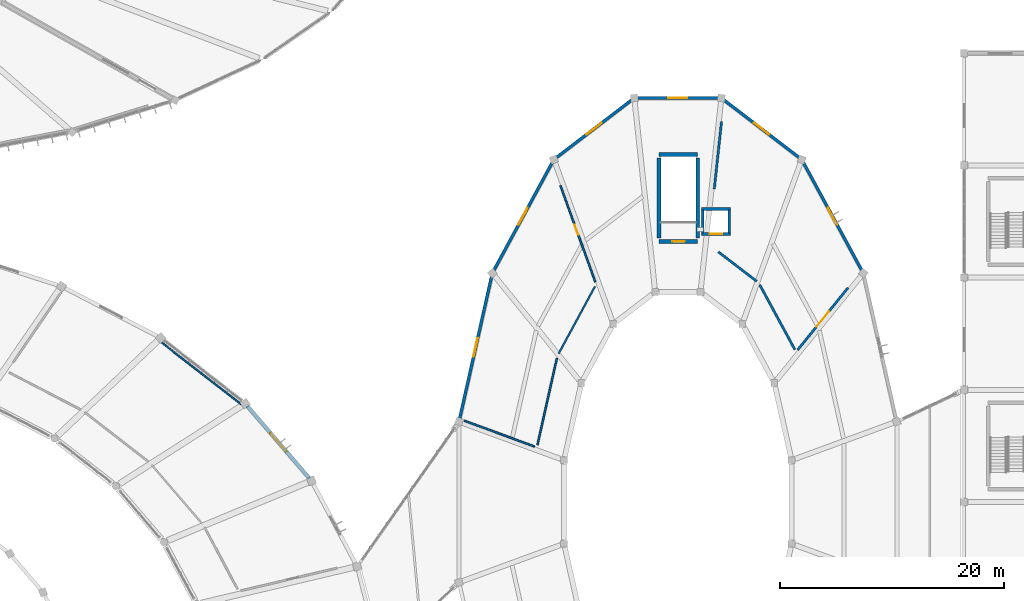
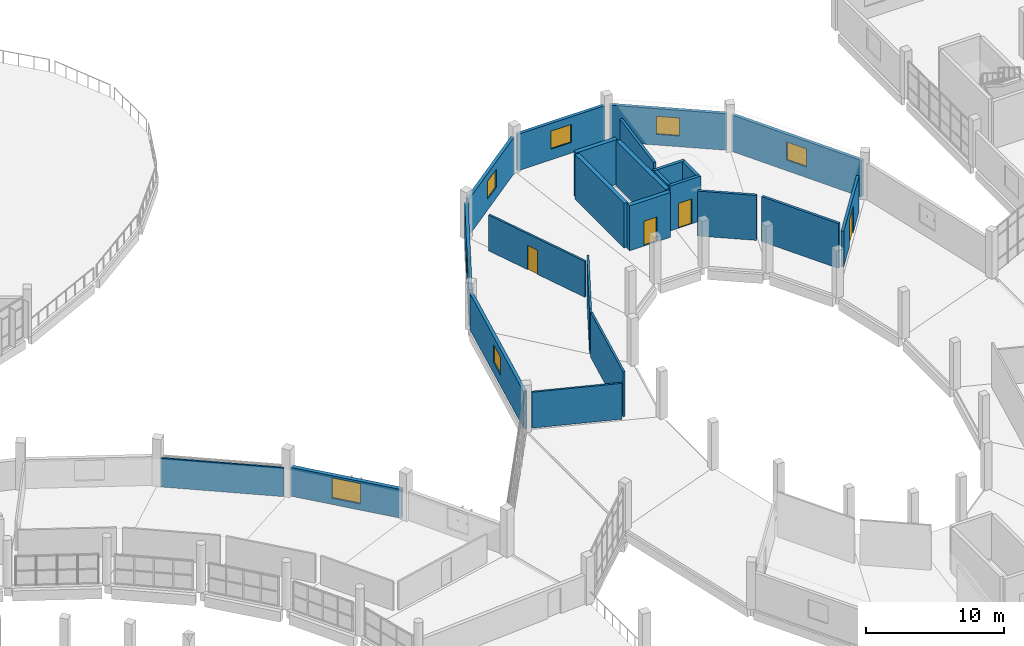
# One storey, part 105 of 142: 24 walls, 7 windows, 4 doors, 11 openings.
"""IFC4 building model written with IfcOpenShell, lengths in metres."""

from ifc_helpers import new_model, si_unit, direction, frame, frame_2d, origin, place, context, subcontext, project, spatial, rectangle, extrude, material, layer, layer_set, type_object, element, fill, save


model = new_model("IFC4")

# Units and contexts
model_context = context("Model", 3, precision=1e-05, world=origin(), true_north=direction((0.0, 1.0)))
body_context = subcontext(model_context, "Body", "Model", "MODEL_VIEW")
ifc_project = project(units=[si_unit("LENGTHUNIT", "METRE"), si_unit("AREAUNIT", "SQUARE_METRE"), si_unit("VOLUMEUNIT", "CUBIC_METRE"), si_unit("PLANEANGLEUNIT", "RADIAN"), si_unit("MASSUNIT", "GRAM", prefix="KILO")], contexts=[model_context])

# Site, building, storey
site_placement = place(None, origin())
site = spatial("IfcSite", under=ifc_project, at=site_placement, CompositionType="ELEMENT")
building_placement = place(site_placement, origin())
building = spatial("IfcBuilding", under=site, at=building_placement, Name="Corvandel Quay Wholesale Market", CompositionType="ELEMENT")
storey_placement = place(building_placement, frame((0.0, 0.0, 10.800048828125)))
storey = spatial("IfcBuildingStorey", under=building, at=storey_placement, Name="L02", CompositionType="ELEMENT", Elevation=10.800048828125)

# Wall, opening, door
ifc_material_1 = material(Name="Concrete C40/50", Category="concrete")
ifc_layer_1 = layer(ifc_material_1, 0.35009765625)
ifc_layer_set_1 = layer_set([ifc_layer_1], Name="Concrete C40/50")
wall_type_1 = type_object("IfcWallType", Name="Core Shear Wall SW01 350", PredefinedType="SHEAR", material=ifc_layer_set_1)
wall_1_placement = place(storey_placement, frame((192.824951171875, 83.22509765625, 0.0), z_axis=(0.0, 0.0, 1.0), x_axis=(1.0, 0.0, 0.0)))
wall_1 = element("IfcWall", 1, at=wall_1_placement, inside=storey, type_object=wall_type_1, Name="Shear Wall IW-0085", PredefinedType="SHEAR", context=body_context, shape_type="SweptSolid", body=[
    extrude(rectangle(XDim=3.449951171875, YDim=0.35009765625, at=frame_2d((1.72509765625, 0.0))), origin(), (0.0, 0.0, 1.0), 3.97998046875),
])
opening_1_placement = place(wall_1_placement, frame((1.199951171875, 0.0, 0.0)))
opening_1 = element("IfcOpeningElement", 2, at=opening_1_placement, cuts=wall_1, Name="Opening L02-D012", PredefinedType="OPENING", context=body_context, shape_type="SweptSolid", body=[
    extrude(rectangle(XDim=1.10009765625, YDim=2.199951171875, at=frame_2d((0.550048828125, 1.10009765625))), frame((0.0, 0.18505859375, 0.0), z_axis=(0.0, -1.0, 0.0), x_axis=(1.0, 0.0, 0.0)), (0.0, 0.0, 1.0), 0.3701171875),
])
ifc_material_2 = material(Name="Galvanised fire-rated hollow steel", Category="steel")
door_type_1 = type_object("IfcDoorType", Name="Exit Stair Fire Door ID02 1100x2200R", OperationType="SINGLE_SWING_RIGHT", PredefinedType="DOOR", material=ifc_material_2)
door_1_placement = place(opening_1_placement, origin())
door_1 = element("IfcDoor", 3, at=door_1_placement, inside=storey, type_object=door_type_1, Name="Exit Stair Door SH08-L02", OperationType="SINGLE_SWING_RIGHT", OverallHeight=2.199951171875, OverallWidth=1.10009765625, PredefinedType="DOOR", context=body_context, shape_type="SweptSolid", body=[
    extrude(rectangle(XDim=1.10009765625, YDim=2.199951171875, at=frame_2d((0.550048828125, 1.10009765625))), frame((0.0, 0.02490234375, 0.0), z_axis=(0.0, -1.0, 0.0), x_axis=(1.0, 0.0, 0.0)), (0.0, 0.0, 1.0), 0.050048828125),
])
fill(opening_1, door_1)

# Walls
wall_2_placement = place(storey_placement, frame((192.824951171875, 90.97509765625, 0.0), z_axis=(0.0, 0.0, 1.0), x_axis=(1.0, 0.0, 0.0)))
element("IfcWall", 4, at=wall_2_placement, inside=storey, type_object=wall_type_1, Name="Shear Wall IW-0086", PredefinedType="SHEAR", context=body_context, shape_type="SweptSolid", body=[
    extrude(rectangle(XDim=3.449951171875, YDim=0.35009765625, at=frame_2d((1.72509765625, 0.0))), origin(), (0.0, 0.0, 1.0), 3.97998046875),
])
for number, where, z_axis, x_axis, name in (
    (5, (192.824951171875, 83.5400390625, 0.0), (0.0, 0.0, 1.0), (0.0, 1.0, 0.0), "Shear Wall IW-0087"),
    (6, (196.27490234375, 83.5400390625, 0.0), (0.0, 0.0, 1.0), (0.0, 1.0, 0.0), "Shear Wall IW-0088"),
):
    element("IfcWall", number, at=place(storey_placement, frame(where, z_axis=z_axis, x_axis=x_axis)), inside=storey, type_object=wall_type_1, Name=name, PredefinedType="SHEAR", context=body_context, shape_type="SweptSolid", body=[
        extrude(rectangle(XDim=7.119873046875, YDim=0.35009765625, at=frame_2d((3.56005859375, 0.0))), origin(), (0.0, 0.0, 1.0), 3.97998046875),
    ])
ifc_material_3 = material(Name="Gypsum-clad steel stud framing", Category="steel")
ifc_layer_2 = layer(ifc_material_3, 0.2099609375)
ifc_layer_set_2 = layer_set([ifc_layer_2], Name="Gypsum-clad steel stud framing")
wall_type_2 = type_object("IfcWallType", Name="Corridor Rated Partition PT02 210", PredefinedType="PARTITIONING", material=ifc_layer_set_2)
wall_3_placement = place(storey_placement, frame((204.93505859375, 73.576416015625, 0.0), z_axis=(0.0, 0.0, 1.0), x_axis=(-0.476768399211, 0.87902894919, 0.0)))
element("IfcWall", 7, at=wall_3_placement, inside=storey, type_object=wall_type_2, Name="Interior Wall IW-0749", PredefinedType="PARTITIONING", context=body_context, shape_type="SweptSolid", body=[
    extrude(rectangle(XDim=6.563232421875, YDim=0.2099609375, at=frame_2d((3.28173828125, 0.0))), origin(), (0.0, 0.0, 1.0), 3.97998046875),
])
wall_4_placement = place(storey_placement, frame((201.5263671875, 79.6728515625, 0.0), z_axis=(0.0, 0.0, 1.0), x_axis=(-0.793645618884, 0.608380334681, 0.0)))
element("IfcWall", 8, at=wall_4_placement, inside=storey, type_object=wall_type_2, Name="Interior Wall IW-0750", PredefinedType="PARTITIONING", context=body_context, shape_type="SweptSolid", body=[
    extrude(rectangle(XDim=4.303955078125, YDim=0.2099609375, at=frame_2d((2.15185546875, 0.0))), origin(), (0.0, 0.0, 1.0), 3.97998046875),
])
wall_5_placement = place(storey_placement, frame((197.74853515625, 87.906005859375, 0.0), z_axis=(0.0, 0.0, 1.0), x_axis=(0.107124111103, 0.994245656174, 0.0)))
element("IfcWall", 9, at=wall_5_placement, inside=storey, type_object=wall_type_2, Name="Interior Wall IW-0751", PredefinedType="PARTITIONING", context=body_context, shape_type="SweptSolid", body=[
    extrude(rectangle(XDim=6.05322265625, YDim=0.2099609375, at=frame_2d((3.026611328125, 0.0))), origin(), (0.0, 0.0, 1.0), 3.179931640625),
])

# Wall, opening, door
wall_6_placement = place(storey_placement, frame((209.66162109375, 79.083984375, 0.0), z_axis=(0.0, 0.0, 1.0), x_axis=(-0.629746593184, -0.776800636182, 0.0)))
wall_6 = element("IfcWall", 10, at=wall_6_placement, inside=storey, type_object=wall_type_2, Name="Interior Wall IW-0752", PredefinedType="PARTITIONING", context=body_context, shape_type="SweptSolid", body=[
    extrude(rectangle(XDim=7.118896484375, YDim=0.2099609375, at=frame_2d((3.5595703125, 0.0))), origin(), (0.0, 0.0, 1.0), 3.179931640625),
])
opening_2_placement = place(wall_6_placement, frame((2.708984375, 0.0, 0.0)))
opening_2 = element("IfcOpeningElement", 11, at=opening_2_placement, cuts=wall_6, Name="Opening L02-D039", PredefinedType="OPENING", context=body_context, shape_type="SweptSolid", body=[
    extrude(rectangle(XDim=1.75, YDim=2.35009765625, at=frame_2d((0.875, 1.175048828125))), frame((0.0, 0.114990234375, 0.0), z_axis=(0.0, -1.0, 0.0), x_axis=(1.0, 0.0, 0.0)), (0.0, 0.0, 1.0), 0.22998046875),
])
ifc_material_4 = material(Name="Acoustic timber double leaf", Category="wood")
door_type_2 = type_object("IfcDoorType", Name="Auction Hall Acoustic Door ID18 1750x2350", OperationType="DOUBLE_DOOR_SINGLE_SWING", PredefinedType="DOOR", material=ifc_material_4)
door_2_placement = place(opening_2_placement, origin())
door_2 = element("IfcDoor", 12, at=door_2_placement, inside=storey, type_object=door_type_2, Name="Auction Public Viewing Gallery Door", OperationType="DOUBLE_DOOR_SINGLE_SWING", OverallHeight=2.35009765625, OverallWidth=1.75, PredefinedType="DOOR", context=body_context, shape_type="SweptSolid", body=[
    extrude(rectangle(XDim=1.75, YDim=2.35009765625, at=frame_2d((0.875, 1.175048828125))), frame((0.0, 0.02490234375, 0.0), z_axis=(0.0, -1.0, 0.0), x_axis=(1.0, 0.0, 0.0)), (0.0, 0.0, 1.0), 0.050048828125),
])
fill(opening_2, door_2)

ifc_layer_3 = layer(ifc_material_1, 0.25)
ifc_layer_set_3 = layer_set([ifc_layer_3], Name="Concrete C40/50")
wall_type_3 = type_object("IfcWallType", Name="Lift Shaft Shear Wall SW03 250", PredefinedType="SHEAR", material=ifc_layer_set_3)
wall_7_placement = place(storey_placement, frame((196.60009765625, 83.875, 0.0), z_axis=(0.0, 0.0, 1.0), x_axis=(1.0, 0.0, 0.0)))
wall_7 = element("IfcWall", 13, at=wall_7_placement, inside=storey, type_object=wall_type_3, Name="Shear Wall IW-0293", PredefinedType="SHEAR", context=body_context, shape_type="SweptSolid", body=[
    extrude(rectangle(XDim=2.599853515625, YDim=0.25, at=frame_2d((1.2998046875, 0.0))), origin(), (0.0, 0.0, 1.0), 3.97998046875),
])
opening_3_placement = place(wall_7_placement, frame((0.75, 0.0, 0.0)))
opening_3 = element("IfcOpeningElement", 14, at=opening_3_placement, cuts=wall_7, Name="Opening LD-L02-025", PredefinedType="OPENING", context=body_context, shape_type="SweptSolid", body=[
    extrude(rectangle(XDim=1.10009765625, YDim=2.199951171875, at=frame_2d((0.550048828125, 1.10009765625))), frame((0.0, 0.135009765625, 0.0), z_axis=(0.0, -1.0, 0.0), x_axis=(1.0, 0.0, 0.0)), (0.0, 0.0, 1.0), 0.27001953125),
])
ifc_material_5 = material(Name="Brushed stainless steel", Category="steel")
door_type_3 = type_object("IfcDoorType", Name="Passenger Lift Landing Door LD01 1100x2200", OperationType="DOUBLE_DOOR_SLIDING", PredefinedType="DOOR", material=ifc_material_5)
door_3_placement = place(opening_3_placement, origin())
door_3 = element("IfcDoor", 15, at=door_3_placement, inside=storey, type_object=door_type_3, Name="Lift Landing Door LF-V3P1-L02", OperationType="DOUBLE_DOOR_SLIDING", OverallHeight=2.199951171875, OverallWidth=1.10009765625, PredefinedType="DOOR", context=body_context, shape_type="SweptSolid", body=[
    extrude(rectangle(XDim=1.10009765625, YDim=2.199951171875, at=frame_2d((0.550048828125, 1.10009765625))), frame((0.0, 0.02490234375, 0.0), z_axis=(0.0, -1.0, 0.0), x_axis=(1.0, 0.0, 0.0)), (0.0, 0.0, 1.0), 0.050048828125),
])
fill(opening_3, door_3)

# Walls
wall_8_placement = place(storey_placement, frame((196.60009765625, 86.125, 0.0), z_axis=(0.0, 0.0, 1.0), x_axis=(1.0, 0.0, 0.0)))
element("IfcWall", 16, at=wall_8_placement, inside=storey, type_object=wall_type_3, Name="Shear Wall IW-0294", PredefinedType="SHEAR", context=body_context, shape_type="SweptSolid", body=[
    extrude(rectangle(XDim=2.599853515625, YDim=0.25, at=frame_2d((1.2998046875, 0.0))), origin(), (0.0, 0.0, 1.0), 3.97998046875),
])
for number, where, z_axis, x_axis, name in (
    (17, (196.72509765625, 83.989990234375, 0.0), (0.0, 0.0, 1.0), (0.0, 1.0, 0.0), "Shear Wall IW-0295"),
    (18, (199.074951171875, 83.989990234375, 0.0), (0.0, 0.0, 1.0), (0.0, 1.0, 0.0), "Shear Wall IW-0296"),
):
    element("IfcWall", number, at=place(storey_placement, frame(where, z_axis=z_axis, x_axis=x_axis)), inside=storey, type_object=wall_type_3, Name=name, PredefinedType="SHEAR", context=body_context, shape_type="SweptSolid", body=[
        extrude(rectangle(XDim=2.02001953125, YDim=0.25, at=frame_2d((1.010009765625, 0.0))), origin(), (0.0, 0.0, 1.0), 3.97998046875),
    ])
ifc_material_6 = material(Name="Double-layer acoustic gypsum stud partition")
ifc_layer_4 = layer(ifc_material_6, 0.139892578125)
ifc_layer_set_4 = layer_set([ifc_layer_4], Name="Double-layer acoustic gypsum stud partition")
wall_type_4 = type_object("IfcWallType", Name="Office Acoustic Partition PT07 140", PredefinedType="PARTITIONING", material=ifc_layer_set_4)
wall_9_placement = place(storey_placement, frame((148.444580078125, 74.251953125, 0.0), z_axis=(0.0, 0.0, 1.0), x_axis=(0.789346398164, -0.613948095286, 0.0)))
element("IfcWall", 19, at=wall_9_placement, inside=storey, type_object=wall_type_4, Name="Interior Wall IW-0526", PredefinedType="PARTITIONING", context=body_context, shape_type="SweptSolid", body=[
    extrude(rectangle(XDim=9.036376953125, YDim=0.139892578125, at=frame_2d((4.51806640625, 0.0))), origin(), (0.0, 0.0, 1.0), 2.550048828125),
])

# Wall, opening, window
ifc_material_7 = material(Name="Terracotta precast concrete C45/55", Category="masonry")
ifc_layer_5 = layer(ifc_material_7, 0.260009765625)
ifc_layer_set_5 = layer_set([ifc_layer_5], Name="Terracotta precast concrete C45/55")
wall_type_5 = type_object("IfcWallType", Name="Pavilion Pilaster Infill Wall EW08 260", PredefinedType="SOLIDWALL", material=ifc_layer_set_5)
wall_10_placement = place(storey_placement, frame((210.92626953125, 80.58544921875, 0.0), z_axis=(0.0, 0.0, 1.0), x_axis=(-0.476243387046, 0.87931350285, 0.0)))
wall_10 = element("IfcWall", 20, at=wall_10_placement, inside=storey, type_object=wall_type_5, Name="Exterior Wall EW-0162", PredefinedType="SOLIDWALL", context=body_context, shape_type="SweptSolid", body=[
    extrude(rectangle(XDim=11.0771484375, YDim=0.260009765625, at=frame_2d((5.53857421875, 0.0))), origin(), (0.0, 0.0, 1.0), 3.22998046875),
])
opening_4_placement = place(wall_10_placement, frame((4.68896484375, 0.0, 0.949951171875)))
opening_4 = element("IfcOpeningElement", 21, at=opening_4_placement, cuts=wall_10, Name="Opening L02-W027", PredefinedType="OPENING", context=body_context, shape_type="SweptSolid", body=[
    extrude(rectangle(XDim=1.699951171875, YDim=1.60009765625, at=frame_2d((0.85009765625, 0.800048828125))), frame((0.0, 0.139892578125, 0.0), z_axis=(0.0, -1.0, 0.0), x_axis=(1.0, 0.0, 0.0)), (0.0, 0.0, 1.0), 0.280029296875),
])
ifc_material_8 = material(Name="Thermally broken bronze anodised aluminium and solar-control low-E double glazing", Category="aluminium")
window_type_1 = type_object("IfcWindowType", Name="Auction Viewing Window WN13 1700x1600", PartitioningType="SINGLE_PANEL", PredefinedType="WINDOW", material=ifc_material_8)
window_1_placement = place(opening_4_placement, origin())
window_1 = element("IfcWindow", 22, at=window_1_placement, inside=storey, type_object=window_type_1, Name="Window L02-W027", OverallHeight=1.60009765625, OverallWidth=1.699951171875, PartitioningType="SINGLE_PANEL", PredefinedType="WINDOW", context=body_context, shape_type="SweptSolid", body=[
    extrude(rectangle(XDim=1.699951171875, YDim=1.60009765625, at=frame_2d((0.85009765625, 0.800048828125))), frame((0.0, 0.030029296875, 0.0), z_axis=(0.0, -1.0, 0.0), x_axis=(1.0, 0.0, 0.0)), (0.0, 0.0, 1.0), 0.06005859375),
])
fill(opening_4, window_1)

wall_11_placement = place(storey_placement, frame((205.37109375, 90.652587890625, 0.0), z_axis=(0.0, 0.0, 1.0), x_axis=(-0.794325535109, 0.607492340918, 0.0)))
wall_11 = element("IfcWall", 23, at=wall_11_placement, inside=storey, type_object=wall_type_5, Name="Exterior Wall EW-0166", PredefinedType="SOLIDWALL", context=body_context, shape_type="SweptSolid", body=[
    extrude(rectangle(XDim=8.58251953125, YDim=0.260009765625, at=frame_2d((4.291259765625, 0.0))), origin(), (0.0, 0.0, 1.0), 3.22998046875),
])
opening_5_placement = place(wall_11_placement, frame((3.44091796875, 0.0, 0.949951171875)))
opening_5 = element("IfcOpeningElement", 24, at=opening_5_placement, cuts=wall_11, Name="Opening L02-W028", PredefinedType="OPENING", context=body_context, shape_type="SweptSolid", body=[
    extrude(rectangle(XDim=1.699951171875, YDim=1.60009765625, at=frame_2d((0.85009765625, 0.800048828125))), frame((0.0, 0.139892578125, 0.0), z_axis=(0.0, -1.0, 0.0), x_axis=(1.0, 0.0, 0.0)), (0.0, 0.0, 1.0), 0.280029296875),
])
window_2_placement = place(opening_5_placement, origin())
window_2 = element("IfcWindow", 25, at=window_2_placement, inside=storey, type_object=window_type_1, Name="Window L02-W028", OverallHeight=1.60009765625, OverallWidth=1.699951171875, PartitioningType="SINGLE_PANEL", PredefinedType="WINDOW", context=body_context, shape_type="SweptSolid", body=[
    extrude(rectangle(XDim=1.699951171875, YDim=1.60009765625, at=frame_2d((0.85009765625, 0.800048828125))), frame((0.0, 0.030029296875, 0.0), z_axis=(0.0, -1.0, 0.0), x_axis=(1.0, 0.0, 0.0)), (0.0, 0.0, 1.0), 0.06005859375),
])
fill(opening_5, window_2)

wall_12_placement = place(storey_placement, frame((198.158935546875, 96.0, 0.0), z_axis=(0.0, 0.0, 1.0), x_axis=(-1.0, 0.0, 0.0)))
wall_12 = element("IfcWall", 26, at=wall_12_placement, inside=storey, type_object=wall_type_5, Name="Exterior Wall EW-0168", PredefinedType="SOLIDWALL", context=body_context, shape_type="SweptSolid", body=[
    extrude(rectangle(XDim=7.31787109375, YDim=0.260009765625, at=frame_2d((3.658935546875, 0.0))), origin(), (0.0, 0.0, 1.0), 3.22998046875),
])
opening_6_placement = place(wall_12_placement, frame((2.80908203125, 0.0, 0.949951171875)))
opening_6 = element("IfcOpeningElement", 27, at=opening_6_placement, cuts=wall_12, Name="Opening L02-W029", PredefinedType="OPENING", context=body_context, shape_type="SweptSolid", body=[
    extrude(rectangle(XDim=1.699951171875, YDim=1.60009765625, at=frame_2d((0.85009765625, 0.800048828125))), frame((0.0, 0.139892578125, 0.0), z_axis=(0.0, -1.0, 0.0), x_axis=(1.0, 0.0, 0.0)), (0.0, 0.0, 1.0), 0.280029296875),
])
window_3_placement = place(opening_6_placement, origin())
window_3 = element("IfcWindow", 28, at=window_3_placement, inside=storey, type_object=window_type_1, Name="Window L02-W029", OverallHeight=1.60009765625, OverallWidth=1.699951171875, PartitioningType="SINGLE_PANEL", PredefinedType="WINDOW", context=body_context, shape_type="SweptSolid", body=[
    extrude(rectangle(XDim=1.699951171875, YDim=1.60009765625, at=frame_2d((0.85009765625, 0.800048828125))), frame((0.0, 0.030029296875, 0.0), z_axis=(0.0, -1.0, 0.0), x_axis=(1.0, 0.0, 0.0)), (0.0, 0.0, 1.0), 0.06005859375),
])
fill(opening_6, window_3)

wall_13_placement = place(storey_placement, frame((190.4462890625, 95.866455078125, 0.0), z_axis=(0.0, 0.0, 1.0), x_axis=(-0.794325535109, -0.607492340918, 0.0)))
wall_13 = element("IfcWall", 29, at=wall_13_placement, inside=storey, type_object=wall_type_5, Name="Exterior Wall EW-0170", PredefinedType="SOLIDWALL", context=body_context, shape_type="SweptSolid", body=[
    extrude(rectangle(XDim=8.58251953125, YDim=0.260009765625, at=frame_2d((4.291259765625, 0.0))), origin(), (0.0, 0.0, 1.0), 3.22998046875),
])
opening_7_placement = place(wall_13_placement, frame((3.44091796875, 0.0, 0.949951171875)))
opening_7 = element("IfcOpeningElement", 30, at=opening_7_placement, cuts=wall_13, Name="Opening L02-W030", PredefinedType="OPENING", context=body_context, shape_type="SweptSolid", body=[
    extrude(rectangle(XDim=1.699951171875, YDim=1.60009765625, at=frame_2d((0.85009765625, 0.800048828125))), frame((0.0, 0.139892578125, 0.0), z_axis=(0.0, -1.0, 0.0), x_axis=(1.0, 0.0, 0.0)), (0.0, 0.0, 1.0), 0.280029296875),
])
window_4_placement = place(opening_7_placement, origin())
window_4 = element("IfcWindow", 31, at=window_4_placement, inside=storey, type_object=window_type_1, Name="Window L02-W030", OverallHeight=1.60009765625, OverallWidth=1.699951171875, PartitioningType="SINGLE_PANEL", PredefinedType="WINDOW", context=body_context, shape_type="SweptSolid", body=[
    extrude(rectangle(XDim=1.699951171875, YDim=1.60009765625, at=frame_2d((0.85009765625, 0.800048828125))), frame((0.0, 0.030029296875, 0.0), z_axis=(0.0, -1.0, 0.0), x_axis=(1.0, 0.0, 0.0)), (0.0, 0.0, 1.0), 0.06005859375),
])
fill(opening_7, window_4)

wall_14_placement = place(storey_placement, frame((183.34912109375, 90.32568359375, 0.0), z_axis=(0.0, 0.0, 1.0), x_axis=(-0.476243387046, -0.87931350285, 0.0)))
wall_14 = element("IfcWall", 32, at=wall_14_placement, inside=storey, type_object=wall_type_5, Name="Exterior Wall EW-0172", PredefinedType="SOLIDWALL", context=body_context, shape_type="SweptSolid", body=[
    extrude(rectangle(XDim=11.0771484375, YDim=0.260009765625, at=frame_2d((5.53857421875, 0.0))), origin(), (0.0, 0.0, 1.0), 3.22998046875),
])
opening_8_placement = place(wall_14_placement, frame((4.68896484375, 0.0, 0.949951171875)))
opening_8 = element("IfcOpeningElement", 33, at=opening_8_placement, cuts=wall_14, Name="Opening L02-W031", PredefinedType="OPENING", context=body_context, shape_type="SweptSolid", body=[
    extrude(rectangle(XDim=1.699951171875, YDim=1.60009765625, at=frame_2d((0.85009765625, 0.800048828125))), frame((0.0, 0.139892578125, 0.0), z_axis=(0.0, -1.0, 0.0), x_axis=(1.0, 0.0, 0.0)), (0.0, 0.0, 1.0), 0.280029296875),
])
window_5_placement = place(opening_8_placement, origin())
window_5 = element("IfcWindow", 34, at=window_5_placement, inside=storey, type_object=window_type_1, Name="Window L02-W031", OverallHeight=1.60009765625, OverallWidth=1.699951171875, PartitioningType="SINGLE_PANEL", PredefinedType="WINDOW", context=body_context, shape_type="SweptSolid", body=[
    extrude(rectangle(XDim=1.699951171875, YDim=1.60009765625, at=frame_2d((0.85009765625, 0.800048828125))), frame((0.0, 0.030029296875, 0.0), z_axis=(0.0, -1.0, 0.0), x_axis=(1.0, 0.0, 0.0)), (0.0, 0.0, 1.0), 0.06005859375),
])
fill(opening_8, window_5)

wall_15_placement = place(storey_placement, frame((177.9208984375, 80.17724609375, 0.0), z_axis=(0.0, 0.0, 1.0), x_axis=(-0.218965309906, -0.975732644251, 0.0)))
wall_15 = element("IfcWall", 35, at=wall_15_placement, inside=storey, type_object=wall_type_5, Name="Exterior Wall EW-0175", PredefinedType="SOLIDWALL", context=body_context, shape_type="SweptSolid", body=[
    extrude(rectangle(XDim=13.119873046875, YDim=0.260009765625, at=frame_2d((6.56005859375, 0.0))), origin(), (0.0, 0.0, 1.0), 3.22998046875),
])
opening_9_placement = place(wall_15_placement, frame((5.7099609375, 0.0, 0.949951171875)))
opening_9 = element("IfcOpeningElement", 36, at=opening_9_placement, cuts=wall_15, Name="Opening L02-W032", PredefinedType="OPENING", context=body_context, shape_type="SweptSolid", body=[
    extrude(rectangle(XDim=1.699951171875, YDim=1.60009765625, at=frame_2d((0.85009765625, 0.800048828125))), frame((0.0, 0.139892578125, 0.0), z_axis=(0.0, -1.0, 0.0), x_axis=(1.0, 0.0, 0.0)), (0.0, 0.0, 1.0), 0.280029296875),
])
window_6_placement = place(opening_9_placement, origin())
window_6 = element("IfcWindow", 37, at=window_6_placement, inside=storey, type_object=window_type_1, Name="Window L02-W032", OverallHeight=1.60009765625, OverallWidth=1.699951171875, PartitioningType="SINGLE_PANEL", PredefinedType="WINDOW", context=body_context, shape_type="SweptSolid", body=[
    extrude(rectangle(XDim=1.699951171875, YDim=1.60009765625, at=frame_2d((0.85009765625, 0.800048828125))), frame((0.0, 0.030029296875, 0.0), z_axis=(0.0, -1.0, 0.0), x_axis=(1.0, 0.0, 0.0)), (0.0, 0.0, 1.0), 0.06005859375),
])
fill(opening_9, window_6)

ifc_material_9 = material(Name="Buff-pigmented precast concrete C45/55", Category="concrete")
ifc_layer_6 = layer(ifc_material_9, 0.320068359375)
ifc_layer_set_6 = layer_set([ifc_layer_6], Name="Buff-pigmented precast concrete C45/55")
wall_type_6 = type_object("IfcWallType", Name="Sandstone Buff Precast Wall EW02 320", PredefinedType="SOLIDWALL", material=ifc_layer_set_6)
wall_16_placement = place(storey_placement, frame((161.677978515625, 62.098876953125, 0.0), z_axis=(0.0, 0.0, 1.0), x_axis=(-0.651606697641, 0.758556992974, 0.0)))
wall_16 = element("IfcWall", 38, at=wall_16_placement, inside=storey, type_object=wall_type_6, Name="Exterior Wall EW-0007", PredefinedType="SOLIDWALL", context=body_context, shape_type="SweptSolid", body=[
    extrude(rectangle(XDim=8.5283203125, YDim=0.320068359375, at=frame_2d((4.26416015625, 0.0))), origin(), (0.0, 0.0, 1.0), 2.550048828125),
])
opening_10_placement = place(wall_16_placement, frame((3.1640625, 0.0, 0.550048828125)))
opening_10 = element("IfcOpeningElement", 39, at=opening_10_placement, cuts=wall_16, Name="Opening L02-W002", PredefinedType="OPENING", context=body_context, shape_type="SweptSolid", body=[
    extrude(rectangle(XDim=2.199951171875, YDim=1.800048828125, at=frame_2d((1.10009765625, 0.89990234375))), frame((0.0, 0.169921875, 0.0), z_axis=(0.0, -1.0, 0.0), x_axis=(1.0, 0.0, 0.0)), (0.0, 0.0, 1.0), 0.340087890625),
])
window_type_2 = type_object("IfcWindowType", Name="Brokers Office Window WN03 2200x1800", PartitioningType="SINGLE_PANEL", PredefinedType="WINDOW", material=ifc_material_8)
window_7_placement = place(opening_10_placement, origin())
window_7 = element("IfcWindow", 40, at=window_7_placement, inside=storey, type_object=window_type_2, Name="Window L02-W002", OverallHeight=1.800048828125, OverallWidth=2.199951171875, PartitioningType="SINGLE_PANEL", PredefinedType="WINDOW", context=body_context, shape_type="SweptSolid", body=[
    extrude(rectangle(XDim=2.199951171875, YDim=1.800048828125, at=frame_2d((1.10009765625, 0.89990234375))), frame((0.0, 0.030029296875, 0.0), z_axis=(0.0, -1.0, 0.0), x_axis=(1.0, 0.0, 0.0)), (0.0, 0.0, 1.0), 0.06005859375),
])
fill(opening_10, window_7)

# Wall, opening, door
ifc_material_10 = material(Name="Moisture-resistant tile-backer partition")
ifc_layer_7 = layer(ifc_material_10, 0.159912109375)
ifc_layer_set_7 = layer_set([ifc_layer_7], Name="Moisture-resistant tile-backer partition")
wall_type_7 = type_object("IfcWallType", Name="Sanitary Tile Partition PT06 160", PredefinedType="PARTITIONING", material=ifc_layer_set_7)
wall_17_placement = place(storey_placement, frame((184.0361328125, 88.2041015625, 0.0), z_axis=(0.0, 0.0, 1.0), x_axis=(0.340331120572, -0.940305656885, 0.0)))
wall_17 = element("IfcWall", 41, at=wall_17_placement, inside=storey, type_object=wall_type_7, Name="Interior Wall IW-0753", PredefinedType="PARTITIONING", context=body_context, shape_type="SweptSolid", body=[
    extrude(rectangle(XDim=9.1376953125, YDim=0.159912109375, at=frame_2d((4.56884765625, 0.0))), origin(), (0.0, 0.0, 1.0), 3.179931640625),
])
opening_11_placement = place(wall_17_placement, frame((3.718994140625, 0.0, 0.0)))
opening_11 = element("IfcOpeningElement", 42, at=opening_11_placement, cuts=wall_17, Name="Opening L02-D040", PredefinedType="OPENING", context=body_context, shape_type="SweptSolid", body=[
    extrude(rectangle(XDim=0.949951171875, YDim=2.14990234375, at=frame_2d((0.47509765625, 1.074951171875))), frame((0.0, 0.08984375, 0.0), z_axis=(0.0, -1.0, 0.0), x_axis=(1.0, 0.0, 0.0)), (0.0, 0.0, 1.0), 0.179931640625),
])
ifc_material_11 = material(Name="Moisture-resistant HPL solid core")
door_type_4 = type_object("IfcDoorType", Name="Accessible Restroom Door ID14 950x2150R", OperationType="SINGLE_SWING_RIGHT", PredefinedType="DOOR", material=ifc_material_11)
door_4_placement = place(opening_11_placement, origin())
door_4 = element("IfcDoor", 43, at=door_4_placement, inside=storey, type_object=door_type_4, Name="Public Accessible Toilet V3 L02 Door", OperationType="SINGLE_SWING_RIGHT", OverallHeight=2.14990234375, OverallWidth=0.949951171875, PredefinedType="DOOR", context=body_context, shape_type="SweptSolid", body=[
    extrude(rectangle(XDim=0.949951171875, YDim=2.14990234375, at=frame_2d((0.47509765625, 1.074951171875))), frame((0.0, 0.02490234375, 0.0), z_axis=(0.0, -1.0, 0.0), x_axis=(1.0, 0.0, 0.0)), (0.0, 0.0, 1.0), 0.050048828125),
])
fill(opening_11, door_4)

# Walls
wall_18_placement = place(storey_placement, frame((187.1162109375, 79.21142578125, 0.0), z_axis=(0.0, 0.0, 1.0), x_axis=(-0.475826771509, -0.87953901762, 0.0)))
element("IfcWall", 44, at=wall_18_placement, inside=storey, type_object=wall_type_7, Name="Interior Wall IW-0754", PredefinedType="PARTITIONING", context=body_context, shape_type="SweptSolid", body=[
    extrude(rectangle(XDim=6.80810546875, YDim=0.159912109375, at=frame_2d((3.404052734375, 0.0))), origin(), (0.0, 0.0, 1.0), 3.97998046875),
])
wall_19_placement = place(storey_placement, frame((183.723876953125, 72.815185546875, 0.0), z_axis=(0.0, 0.0, 1.0), x_axis=(-0.219151477766, -0.975690847448, 0.0)))
element("IfcWall", 45, at=wall_19_placement, inside=storey, type_object=wall_type_7, Name="Interior Wall IW-0755", PredefinedType="PARTITIONING", context=body_context, shape_type="SweptSolid", body=[
    extrude(rectangle(XDim=7.924072265625, YDim=0.159912109375, at=frame_2d((3.9619140625, 0.0))), origin(), (0.0, 0.0, 1.0), 3.97998046875),
])
wall_20_placement = place(storey_placement, frame((181.732421875, 64.94482421875, 0.0), z_axis=(0.0, 0.0, 1.0), x_axis=(-0.938715317885, 0.344693417356, 0.0)))
element("IfcWall", 46, at=wall_20_placement, inside=storey, type_object=wall_type_7, Name="Interior Wall IW-0756", PredefinedType="PARTITIONING", context=body_context, shape_type="SweptSolid", body=[
    extrude(rectangle(XDim=6.653564453125, YDim=0.159912109375, at=frame_2d((3.32666015625, 0.0))), origin(), (0.0, 0.0, 1.0), 3.179931640625),
])

save(model, "model.ifc")
